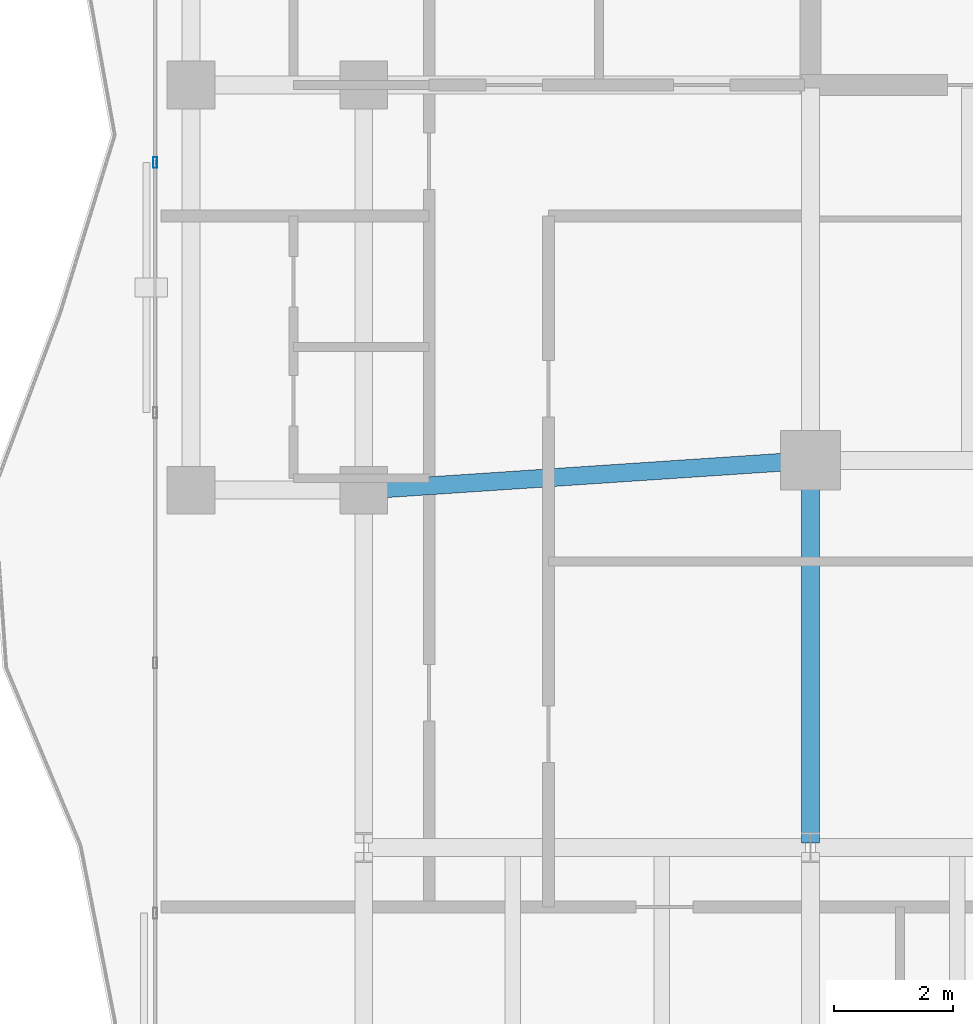
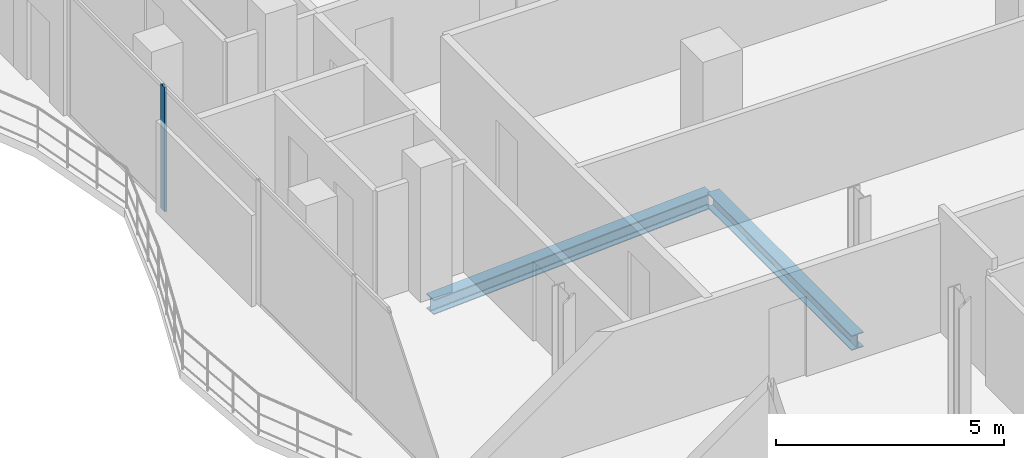
# One storey, part 8 of 23: 2 beams, 1 member, 1 element without a shape of its own.
"""IFC4 building model written with IfcOpenShell, lengths in metres."""

from ifc_helpers import new_model, si_unit, direction, frame, origin, origin_2d, place, context, subcontext, project, spatial, hollow_rectangle, i_section, extrude, material, layer, layer_set, material_profile, profile_set, type_object, element, aggregate, save


model = new_model("IFC4")

# Units and contexts
model_context = context("Model", 3, precision=1e-05, world=origin(), true_north=direction((0.0, 1.0)))
body_context = subcontext(model_context, "Body", "Model", "MODEL_VIEW")
ifc_project = project(units=[si_unit("LENGTHUNIT", "METRE"), si_unit("AREAUNIT", "SQUARE_METRE"), si_unit("VOLUMEUNIT", "CUBIC_METRE"), si_unit("PLANEANGLEUNIT", "RADIAN"), si_unit("MASSUNIT", "GRAM", prefix="KILO")], contexts=[model_context])

# Site, building, storey
site_placement = place(None, origin())
site = spatial("IfcSite", under=ifc_project, at=site_placement, CompositionType="ELEMENT")
building_placement = place(site_placement, origin())
building = spatial("IfcBuilding", under=site, at=building_placement, Name="Catumbela Crestline Tower", CompositionType="ELEMENT")
storey_placement = place(building_placement, frame((0.0, 0.0, 186.6)))
storey = spatial("IfcBuildingStorey", under=building, at=storey_placement, Name="L48", CompositionType="ELEMENT", Elevation=186.6)

# Beams
ifc_material_1 = material(Name="Structural steel S355J2", Category="steel")
ifc_material_profile_1 = material_profile(ifc_material_1, i_section(OverallWidth=0.3, OverallDepth=0.4, WebThickness=0.0135, FlangeThickness=0.024, FilletRadius=0.027, at=origin_2d()), Name="HEB 400")
ifc_profile_set_1 = profile_set([ifc_material_profile_1], Name="Structural steel S355J2")
beam_type = type_object("IfcBeamType", Name="BG-HEB400", PredefinedType="BEAM", material=ifc_profile_set_1)
beam_1_placement = place(storey_placement, frame((8.5798, 24.0053, -0.46), z_axis=(0.997784796964, 0.066524423687, 0.0), x_axis=(-0.066524423687, 0.997784796964, 0.0)))
element("IfcBeam", 1, at=beam_1_placement, inside=storey, type_object=beam_type, Name="L48 Beam BM-L48-S02", PredefinedType="BEAM", context=body_context, shape_type="SweptSolid", body=[
    extrude(i_section(OverallWidth=0.3, OverallDepth=0.4, WebThickness=0.0135, FlangeThickness=0.024, FilletRadius=0.027, at=origin_2d()), origin(), (0.0, 0.0, 1.0), 7.3567),
])
beam_2_placement = place(storey_placement, frame((16.0, 18.08, -0.46), z_axis=(0.0, 1.0, 0.0), x_axis=(-1.0, 0.0, 0.0)))
element("IfcBeam", 2, at=beam_2_placement, inside=storey, type_object=beam_type, Name="L48 Beam BM-L48-WNS42", PredefinedType="BEAM", context=body_context, shape_type="SweptSolid", body=[
    extrude(i_section(OverallWidth=0.3, OverallDepth=0.4, WebThickness=0.0135, FlangeThickness=0.024, FilletRadius=0.027, at=origin_2d()), origin(), (0.0, 0.0, 1.0), 6.34),
])

# Curtain wall, member
ifc_material_2 = material(Name="Aluminium alloy AW-6060-T66", Category="aluminium")
ifc_layer = layer(ifc_material_2, 0.18, Name="Aluminium alloy AW-6060-T66")
ifc_layer_set = layer_set([ifc_layer], Name="Aluminium alloy AW-6060-T66")
curtain_wall_type = type_object("IfcCurtainWallType", Name="CWU-Z3", PredefinedType="USERDEFINED", material=ifc_layer_set)
curtain_wall_placement = place(storey_placement, origin())
curtain_wall = element("IfcCurtainWall", 3, at=curtain_wall_placement, inside=storey, type_object=curtain_wall_type, Name="L48 Unitised Curtain Wall CW-L48-E9S2", ObjectType="UNITISED", PredefinedType="USERDEFINED")
ifc_material_profile_2 = material_profile(ifc_material_2, hollow_rectangle(XDim=0.065, YDim=0.18, WallThickness=0.004, at=origin_2d()), Name="ALU 180x65x4")
ifc_profile_set_2 = profile_set([ifc_material_profile_2], Name="Aluminium alloy AW-6060-T66")
member_type = type_object("IfcMemberType", Name="MUL-180X65", PredefinedType="MULLION", material=ifc_profile_set_2)
member_placement = place(storey_placement, frame((5.0, 29.5, 0.0), z_axis=(0.0, 0.0, 1.0), x_axis=(1.0, 0.0, 0.0)))
member = element("IfcMember", 4, at=member_placement, type_object=member_type, Name="CWU-Z3 mullion 2", PredefinedType="MULLION", context=body_context, shape_type="SweptSolid", body=[
    extrude(hollow_rectangle(XDim=0.065, YDim=0.18, WallThickness=0.004, at=origin_2d()), origin(), (0.0, 0.0, 1.0), 3.33),
])
aggregate(curtain_wall, [member])

save(model, "model.ifc")
